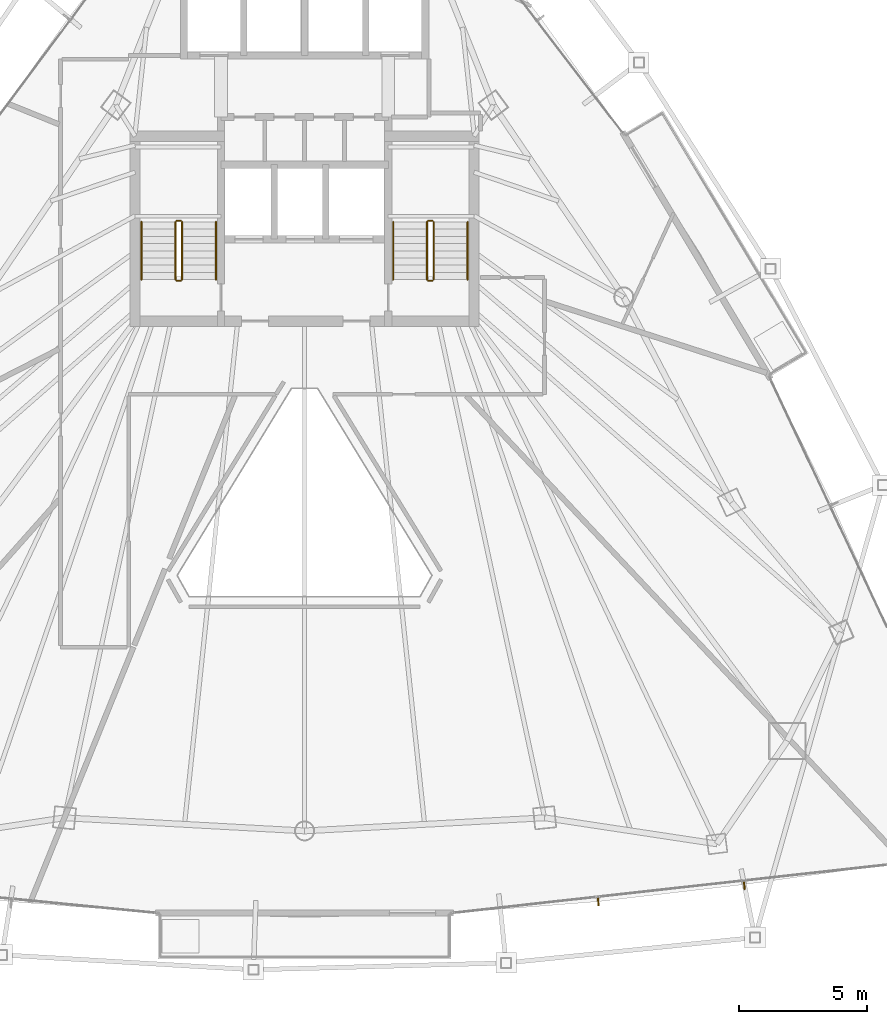
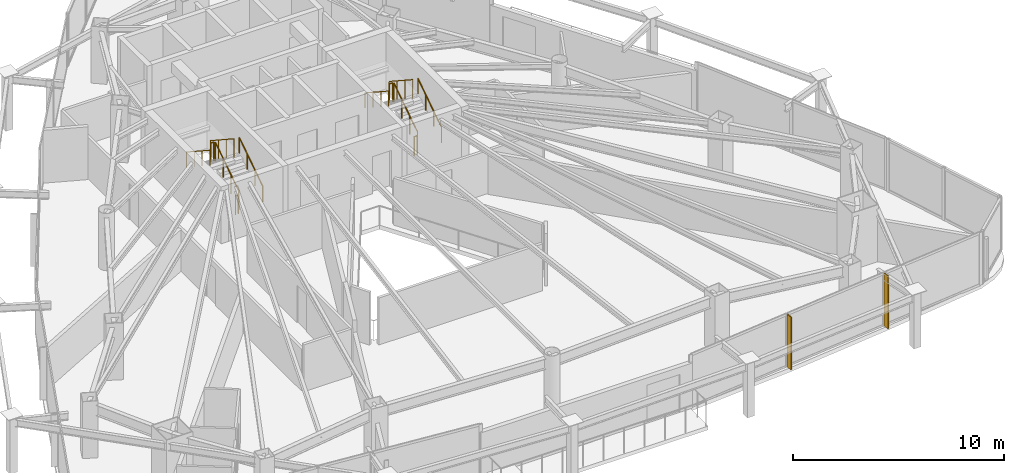
# One storey, part 30 of 31: 12 railings, 2 shading devices.
"""IFC4 building model written with IfcOpenShell, lengths in metres."""

from ifc_helpers import new_model, si_unit, direction, frame, origin, origin_2d, place, context, subcontext, project, spatial, rectangle, circle, extrude, material, layer, layer_set, type_object, element, save


model = new_model("IFC4")

# Units and contexts
model_context = context("Model", 3, precision=1e-05, world=origin(), true_north=direction((0.0, 1.0)))
body_context = subcontext(model_context, "Body", "Model", "MODEL_VIEW")
ifc_project = project(units=[si_unit("LENGTHUNIT", "METRE"), si_unit("AREAUNIT", "SQUARE_METRE"), si_unit("VOLUMEUNIT", "CUBIC_METRE"), si_unit("PLANEANGLEUNIT", "RADIAN"), si_unit("MASSUNIT", "GRAM", prefix="KILO")], contexts=[model_context])

# Site, building, storey
site_placement = place(None, origin())
site = spatial("IfcSite", under=ifc_project, at=site_placement, CompositionType="ELEMENT")
building_placement = place(site_placement, origin())
building = spatial("IfcBuilding", under=site, at=building_placement, Name="Orvanel Arch Residences", CompositionType="ELEMENT")
storey_placement = place(building_placement, frame((0.0, 0.0, 157.25)))
storey = spatial("IfcBuildingStorey", under=building, at=storey_placement, Name="L44", CompositionType="ELEMENT", Elevation=157.25)

# Shading devices
ifc_material_1 = material(Name="Bronze-anodised aluminium AA6063-T6", Category="aluminium")
ifc_layer = layer(ifc_material_1, 0.054931640625)
ifc_layer_set = layer_set([ifc_layer], Name="Bronze-anodised aluminium AA6063-T6")
shading_device_type = type_object("IfcShadingDeviceType", Name="FIN-BRZ-320", PredefinedType="USERDEFINED", material=ifc_layer_set)
for number, where, z_axis, x_axis, name in (
    (1, (44.43603515625, 4.089111328125, 0.0), (0.0, 0.0, 1.0), (0.109734311091, -0.993960955455, 0.0), "L44 Anodised Bronze Mullion FIN 01"),
    (2, (50.126953125, 4.720947265625, 0.0), (0.0, 0.0, 1.0), (0.109734311091, -0.993960955455, 0.0), "L44 Anodised Bronze Mullion FIN 02"),
):
    element("IfcShadingDevice", number, at=place(storey_placement, frame(where, z_axis=z_axis, x_axis=x_axis)), inside=storey, type_object=shading_device_type, Name=name, ObjectType="FIN", PredefinedType="USERDEFINED", context=body_context, shape_type="SweptSolid", body=[
        extrude(rectangle(XDim=0.320068359375, YDim=0.054931640625, at=origin_2d()), origin(), (0.0, 0.0, 1.0), 3.06005859375),
    ])

# Railings
ifc_material_2 = material(Name="Structural steel AS/NZS 1163 C350L0 (Grade 350)", Category="steel")
railing_type_1 = type_object("IfcRailingType", Name="RL-STAIR-GUARD", PredefinedType="GUARDRAIL", material=ifc_material_2)
railing_1_placement = place(storey_placement, frame((28.22998046875, 28.320068359375, 0.183349609375)))
element("IfcRailing", 3, at=railing_1_placement, inside=storey, type_object=railing_type_1, Name="L44 ST-1 stair guard 1", PredefinedType="GUARDRAIL", context=body_context, shape_type="SweptSolid", body=[
    extrude(circle(Radius=0.02392578125, at=origin_2d()), frame((0.0, 0.001220703125, 1.076904296875), z_axis=(0.0, 0.836636935527, 0.547757827979), x_axis=(-1.0, 0.0, 0.0)), (0.0, 0.0, 1.0), 2.67431640625),
    extrude(circle(Radius=0.02099609375, at=origin_2d()), origin(), (0.0, 0.0, 1.0), 1.050048828125),
    extrude(circle(Radius=0.02099609375, at=origin_2d()), frame((0.0, 0.74658203125, 0.48876953125)), (0.0, 0.0, 1.0), 1.050048828125),
    extrude(circle(Radius=0.02099609375, at=origin_2d()), frame((0.0, 1.493408203125, 0.977783203125)), (0.0, 0.0, 1.0), 1.050048828125),
    extrude(circle(Radius=0.02099609375, at=origin_2d()), frame((0.0, 2.239990234375, 1.466552734375)), (0.0, 0.0, 1.0), 1.050048828125),
])
railing_2_placement = place(storey_placement, frame((28.179931640625, 30.610107421875, 1.64990234375)))
element("IfcRailing", 4, at=railing_2_placement, inside=storey, type_object=railing_type_1, Name="L44 ST-1 stair guard 2", PredefinedType="GUARDRAIL", context=body_context, shape_type="SweptSolid", body=[
    extrude(circle(Radius=0.02392578125, at=origin_2d()), frame((-0.00146484375, 0.0, 1.076171875), z_axis=(-1.0, 0.0, 0.0), x_axis=(0.0, -1.0, 0.0)), (0.0, 0.0, 1.0), 0.156982421875),
    extrude(circle(Radius=0.02099609375, at=origin_2d()), origin(), (0.0, 0.0, 1.0), 1.050048828125),
    extrude(circle(Radius=0.02099609375, at=origin_2d()), frame((-0.159912109375, 0.0, 0.0)), (0.0, 0.0, 1.0), 1.050048828125),
])
railing_3_placement = place(storey_placement, frame((27.969970703125, 30.56005859375, 1.833251953125)))
element("IfcRailing", 5, at=railing_3_placement, inside=storey, type_object=railing_type_1, Name="L44 ST-1 stair guard 3", PredefinedType="GUARDRAIL", context=body_context, shape_type="SweptSolid", body=[
    extrude(circle(Radius=0.02392578125, at=origin_2d()), frame((0.0, -0.001220703125, 1.076904296875), z_axis=(0.0, -0.836595146698, 0.547821650285), x_axis=(1.0, 0.0, 0.0)), (0.0, 0.0, 1.0), 2.674560546875),
    extrude(circle(Radius=0.02099609375, at=origin_2d()), origin(), (0.0, 0.0, 1.0), 1.050048828125),
    extrude(circle(Radius=0.02099609375, at=origin_2d()), frame((0.0, -0.74658203125, 0.489013671875)), (0.0, 0.0, 1.0), 1.050048828125),
    extrude(circle(Radius=0.02099609375, at=origin_2d()), frame((0.0, -1.493408203125, 0.977783203125)), (0.0, 0.0, 1.0), 1.050048828125),
    extrude(circle(Radius=0.02099609375, at=origin_2d()), frame((0.0, -2.239990234375, 1.466796875)), (0.0, 0.0, 1.0), 1.050048828125),
])
railing_4_placement = place(storey_placement, frame((28.179931640625, 28.27001953125, 0.0)))
element("IfcRailing", 6, at=railing_4_placement, inside=storey, type_object=railing_type_1, Name="L44 ST-1 stair guard 4", PredefinedType="GUARDRAIL", context=body_context, shape_type="SweptSolid", body=[
    extrude(circle(Radius=0.02392578125, at=origin_2d()), frame((-0.00146484375, 0.0, 1.076171875), z_axis=(-1.0, 0.0, 0.0), x_axis=(0.0, -1.0, 0.0)), (0.0, 0.0, 1.0), 0.156982421875),
    extrude(circle(Radius=0.02099609375, at=origin_2d()), origin(), (0.0, 0.0, 1.0), 1.050048828125),
    extrude(circle(Radius=0.02099609375, at=origin_2d()), frame((-0.159912109375, 0.0, 0.0)), (0.0, 0.0, 1.0), 1.050048828125),
])
railing_5_placement = place(storey_placement, frame((38.030029296875, 28.320068359375, 0.183349609375)))
element("IfcRailing", 7, at=railing_5_placement, inside=storey, type_object=railing_type_1, Name="L44 ST-2 stair guard 1", PredefinedType="GUARDRAIL", context=body_context, shape_type="SweptSolid", body=[
    extrude(circle(Radius=0.02392578125, at=origin_2d()), frame((0.0, 0.001220703125, 1.076904296875), z_axis=(0.0, 0.836636935527, 0.547757827979), x_axis=(-1.0, 0.0, 0.0)), (0.0, 0.0, 1.0), 2.67431640625),
    extrude(circle(Radius=0.02099609375, at=origin_2d()), origin(), (0.0, 0.0, 1.0), 1.050048828125),
    extrude(circle(Radius=0.02099609375, at=origin_2d()), frame((0.0, 0.74658203125, 0.48876953125)), (0.0, 0.0, 1.0), 1.050048828125),
    extrude(circle(Radius=0.02099609375, at=origin_2d()), frame((0.0, 1.493408203125, 0.977783203125)), (0.0, 0.0, 1.0), 1.050048828125),
    extrude(circle(Radius=0.02099609375, at=origin_2d()), frame((0.0, 2.239990234375, 1.466552734375)), (0.0, 0.0, 1.0), 1.050048828125),
])
railing_6_placement = place(storey_placement, frame((37.97998046875, 30.610107421875, 1.64990234375)))
element("IfcRailing", 8, at=railing_6_placement, inside=storey, type_object=railing_type_1, Name="L44 ST-2 stair guard 2", PredefinedType="GUARDRAIL", context=body_context, shape_type="SweptSolid", body=[
    extrude(circle(Radius=0.02392578125, at=origin_2d()), frame((-0.00146484375, 0.0, 1.076171875), z_axis=(-1.0, 0.0, 0.0), x_axis=(0.0, -1.0, 0.0)), (0.0, 0.0, 1.0), 0.156982421875),
    extrude(circle(Radius=0.02099609375, at=origin_2d()), origin(), (0.0, 0.0, 1.0), 1.050048828125),
    extrude(circle(Radius=0.02099609375, at=origin_2d()), frame((-0.159912109375, 0.0, 0.0)), (0.0, 0.0, 1.0), 1.050048828125),
])
railing_7_placement = place(storey_placement, frame((37.77001953125, 30.56005859375, 1.833251953125)))
element("IfcRailing", 9, at=railing_7_placement, inside=storey, type_object=railing_type_1, Name="L44 ST-2 stair guard 3", PredefinedType="GUARDRAIL", context=body_context, shape_type="SweptSolid", body=[
    extrude(circle(Radius=0.02392578125, at=origin_2d()), frame((0.0, -0.001220703125, 1.076904296875), z_axis=(0.0, -0.836595146698, 0.547821650285), x_axis=(1.0, 0.0, 0.0)), (0.0, 0.0, 1.0), 2.674560546875),
    extrude(circle(Radius=0.02099609375, at=origin_2d()), origin(), (0.0, 0.0, 1.0), 1.050048828125),
    extrude(circle(Radius=0.02099609375, at=origin_2d()), frame((0.0, -0.74658203125, 0.489013671875)), (0.0, 0.0, 1.0), 1.050048828125),
    extrude(circle(Radius=0.02099609375, at=origin_2d()), frame((0.0, -1.493408203125, 0.977783203125)), (0.0, 0.0, 1.0), 1.050048828125),
    extrude(circle(Radius=0.02099609375, at=origin_2d()), frame((0.0, -2.239990234375, 1.466796875)), (0.0, 0.0, 1.0), 1.050048828125),
])
railing_8_placement = place(storey_placement, frame((37.97998046875, 28.27001953125, 0.0)))
element("IfcRailing", 10, at=railing_8_placement, inside=storey, type_object=railing_type_1, Name="L44 ST-2 stair guard 4", PredefinedType="GUARDRAIL", context=body_context, shape_type="SweptSolid", body=[
    extrude(circle(Radius=0.02392578125, at=origin_2d()), frame((-0.00146484375, 0.0, 1.076171875), z_axis=(-1.0, 0.0, 0.0), x_axis=(0.0, -1.0, 0.0)), (0.0, 0.0, 1.0), 0.156982421875),
    extrude(circle(Radius=0.02099609375, at=origin_2d()), origin(), (0.0, 0.0, 1.0), 1.050048828125),
    extrude(circle(Radius=0.02099609375, at=origin_2d()), frame((-0.159912109375, 0.0, 0.0)), (0.0, 0.0, 1.0), 1.050048828125),
])
railing_type_2 = type_object("IfcRailingType", Name="RL-STAIR-HAND", PredefinedType="HANDRAIL", material=ifc_material_2)
railing_9_placement = place(storey_placement, frame((29.550048828125, 28.320068359375, 0.183349609375)))
element("IfcRailing", 11, at=railing_9_placement, inside=storey, type_object=railing_type_2, Name="L44 ST-1 stair handrail 1", PredefinedType="HANDRAIL", context=body_context, shape_type="SweptSolid", body=[
    extrude(circle(Radius=0.02392578125, at=origin_2d()), frame((0.0, 0.001220703125, 0.876708984375), z_axis=(0.0, 0.836636935527, 0.547757827979), x_axis=(-1.0, 0.0, 0.0)), (0.0, 0.0, 1.0), 2.67431640625),
    extrude(circle(Radius=0.02099609375, at=origin_2d()), origin(), (0.0, 0.0, 1.0), 0.849853515625),
    extrude(circle(Radius=0.02099609375, at=origin_2d()), frame((0.0, 0.74658203125, 0.48876953125)), (0.0, 0.0, 1.0), 0.849853515625),
    extrude(circle(Radius=0.02099609375, at=origin_2d()), frame((0.0, 1.493408203125, 0.977783203125)), (0.0, 0.0, 1.0), 0.849853515625),
    extrude(circle(Radius=0.02099609375, at=origin_2d()), frame((0.0, 2.239990234375, 1.466552734375)), (0.0, 0.0, 1.0), 0.849853515625),
])
railing_10_placement = place(storey_placement, frame((26.64990234375, 30.56005859375, 1.833251953125)))
element("IfcRailing", 12, at=railing_10_placement, inside=storey, type_object=railing_type_2, Name="L44 ST-1 stair handrail 2", PredefinedType="HANDRAIL", context=body_context, shape_type="SweptSolid", body=[
    extrude(circle(Radius=0.02392578125, at=origin_2d()), frame((0.0, -0.001220703125, 0.876708984375), z_axis=(0.0, -0.836595146698, 0.547821650285), x_axis=(1.0, 0.0, 0.0)), (0.0, 0.0, 1.0), 2.674560546875),
    extrude(circle(Radius=0.02099609375, at=origin_2d()), origin(), (0.0, 0.0, 1.0), 0.849853515625),
    extrude(circle(Radius=0.02099609375, at=origin_2d()), frame((0.0, -0.74658203125, 0.489013671875)), (0.0, 0.0, 1.0), 0.849853515625),
    extrude(circle(Radius=0.02099609375, at=origin_2d()), frame((0.0, -1.493408203125, 0.977783203125)), (0.0, 0.0, 1.0), 0.849853515625),
    extrude(circle(Radius=0.02099609375, at=origin_2d()), frame((0.0, -2.239990234375, 1.466796875)), (0.0, 0.0, 1.0), 0.849853515625),
])
railing_11_placement = place(storey_placement, frame((39.35009765625, 28.320068359375, 0.183349609375)))
element("IfcRailing", 13, at=railing_11_placement, inside=storey, type_object=railing_type_2, Name="L44 ST-2 stair handrail 1", PredefinedType="HANDRAIL", context=body_context, shape_type="SweptSolid", body=[
    extrude(circle(Radius=0.02392578125, at=origin_2d()), frame((0.0, 0.001220703125, 0.876708984375), z_axis=(0.0, 0.836636935527, 0.547757827979), x_axis=(-1.0, 0.0, 0.0)), (0.0, 0.0, 1.0), 2.67431640625),
    extrude(circle(Radius=0.02099609375, at=origin_2d()), origin(), (0.0, 0.0, 1.0), 0.849853515625),
    extrude(circle(Radius=0.02099609375, at=origin_2d()), frame((0.0, 0.74658203125, 0.48876953125)), (0.0, 0.0, 1.0), 0.849853515625),
    extrude(circle(Radius=0.02099609375, at=origin_2d()), frame((0.0, 1.493408203125, 0.977783203125)), (0.0, 0.0, 1.0), 0.849853515625),
    extrude(circle(Radius=0.02099609375, at=origin_2d()), frame((0.0, 2.239990234375, 1.466552734375)), (0.0, 0.0, 1.0), 0.849853515625),
])
railing_12_placement = place(storey_placement, frame((36.449951171875, 30.56005859375, 1.833251953125)))
element("IfcRailing", 14, at=railing_12_placement, inside=storey, type_object=railing_type_2, Name="L44 ST-2 stair handrail 2", PredefinedType="HANDRAIL", context=body_context, shape_type="SweptSolid", body=[
    extrude(circle(Radius=0.02392578125, at=origin_2d()), frame((0.0, -0.001220703125, 0.876708984375), z_axis=(0.0, -0.836595146698, 0.547821650285), x_axis=(1.0, 0.0, 0.0)), (0.0, 0.0, 1.0), 2.674560546875),
    extrude(circle(Radius=0.02099609375, at=origin_2d()), origin(), (0.0, 0.0, 1.0), 0.849853515625),
    extrude(circle(Radius=0.02099609375, at=origin_2d()), frame((0.0, -0.74658203125, 0.489013671875)), (0.0, 0.0, 1.0), 0.849853515625),
    extrude(circle(Radius=0.02099609375, at=origin_2d()), frame((0.0, -1.493408203125, 0.977783203125)), (0.0, 0.0, 1.0), 0.849853515625),
    extrude(circle(Radius=0.02099609375, at=origin_2d()), frame((0.0, -2.239990234375, 1.466796875)), (0.0, 0.0, 1.0), 0.849853515625),
])

save(model, "model.ifc")
